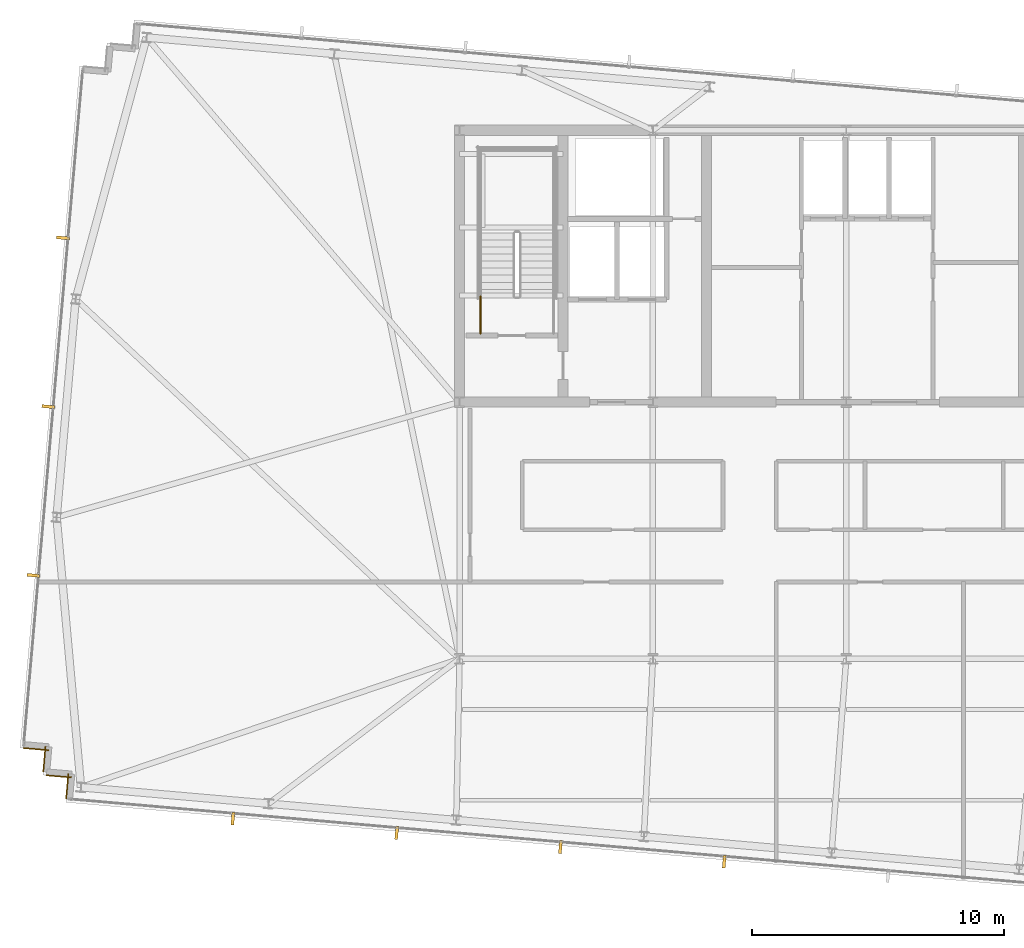
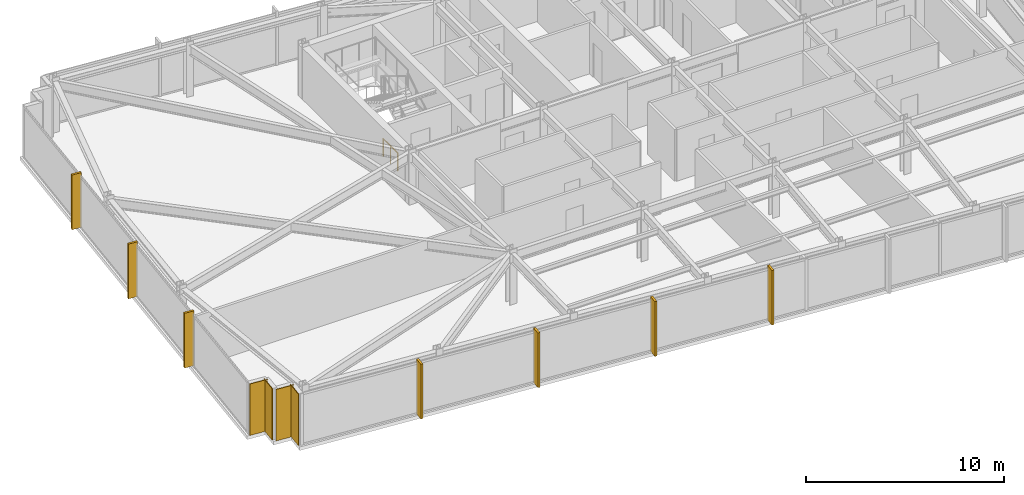
# One storey, part 29 of 32: 7 shading devices, 4 coverings, 1 railing.
"""IFC4 building model written with IfcOpenShell, lengths in metres."""

from ifc_helpers import new_model, si_unit, direction, frame, frame_2d, origin, origin_2d, place, context, subcontext, project, spatial, rectangle, circle, extrude, material, layer, layer_set, type_object, element, save


model = new_model("IFC4")

# Units and contexts
model_context = context("Model", 3, precision=1e-05, world=origin(), true_north=direction((0.0, 1.0)))
body_context = subcontext(model_context, "Body", "Model", "MODEL_VIEW")
ifc_project = project(units=[si_unit("LENGTHUNIT", "METRE"), si_unit("AREAUNIT", "SQUARE_METRE"), si_unit("VOLUMEUNIT", "CUBIC_METRE"), si_unit("PLANEANGLEUNIT", "RADIAN"), si_unit("MASSUNIT", "GRAM", prefix="KILO")], contexts=[model_context])

# Site, building, storey
site_placement = place(None, origin())
site = spatial("IfcSite", under=ifc_project, at=site_placement, CompositionType="ELEMENT")
building_placement = place(site_placement, origin())
building = spatial("IfcBuilding", under=site, at=building_placement, Name="Yelkora Congress Tower", CompositionType="ELEMENT")
storey_placement = place(building_placement, frame((0.0, 0.0, 272.699951171875)))
storey = spatial("IfcBuildingStorey", under=building, at=storey_placement, Name="L76", CompositionType="ELEMENT", Elevation=272.699951171875)

# Coverings
ifc_material_1 = material(Name="Anatolian bush-hammered limestone", Category="masonry")
ifc_layer_1 = layer(ifc_material_1, 0.0400390625)
ifc_layer_set_1 = layer_set([ifc_layer_1], Name="Anatolian bush-hammered limestone")
covering_type = type_object("IfcCoveringType", Name="COV-CLAD-SPANDREL-40", PredefinedType="CLADDING", material=ifc_layer_set_1)
for number, where, z_axis, x_axis, name in (
    (1, (7.41064453125, 19.63720703125, 0.0), (0.0, 0.0, 1.0), (0.087166950281, 0.996193717496, 0.0), "L76 Anatolian Limestone Cladding EW-L76-SR01"),
    (2, (7.62060546875, 20.4873046875, 0.0), (0.0, 0.0, 1.0), (-0.996214890596, 0.086924632611, 0.0), "L76 Anatolian Limestone Cladding EW-L76-SR02"),
):
    element("IfcCovering", number, at=place(storey_placement, frame(where, z_axis=z_axis, x_axis=x_axis)), inside=storey, type_object=covering_type, Name=name, PredefinedType="CLADDING", context=body_context, shape_type="SweptSolid", body=[
        extrude(rectangle(XDim=1.0, YDim=0.0400390625, at=frame_2d((0.5, 0.0))), origin(), (0.0, 0.0, 1.0), 3.179931640625),
    ])
covering_1_placement = place(storey_placement, frame((6.501708984375, 20.720458984375, 0.0), z_axis=(0.0, 0.0, 1.0), x_axis=(0.087145753297, 0.996195572005, 0.0)))
element("IfcCovering", 3, at=covering_1_placement, inside=storey, type_object=covering_type, Name="L76 Anatolian Limestone Cladding EW-L76-SR03", PredefinedType="CLADDING", context=body_context, shape_type="SweptSolid", body=[
    extrude(rectangle(XDim=1.000244140625, YDim=0.0400390625, at=frame_2d((0.5, 0.0))), origin(), (0.0, 0.0, 1.0), 3.179931640625),
])
covering_2_placement = place(storey_placement, frame((6.71142578125, 21.570556640625, 0.0), z_axis=(0.0, 0.0, 1.0), x_axis=(-0.996193717496, 0.087166950281, 0.0)))
element("IfcCovering", 4, at=covering_2_placement, inside=storey, type_object=covering_type, Name="L76 Anatolian Limestone Cladding EW-L76-SR04", PredefinedType="CLADDING", context=body_context, shape_type="SweptSolid", body=[
    extrude(rectangle(XDim=1.0, YDim=0.0400390625, at=frame_2d((0.5, 0.0))), origin(), (0.0, 0.0, 1.0), 3.179931640625),
])

# Railing
ifc_material_2 = material(Name="Painted galvanised steel stair well guard with vertical infill", Category="steel")
ifc_layer_2 = layer(ifc_material_2, 0.06005859375)
ifc_layer_set_2 = layer_set([ifc_layer_2], Name="Painted galvanised steel stair well guard with vertical infill")
railing_type = type_object("IfcRailingType", Name="RAIL-STAIR-GUARD-1120", PredefinedType="GUARDRAIL", material=ifc_layer_set_2)
railing_placement = place(storey_placement, frame((23.8701171875, 38.1201171875, 0.0)))
element("IfcRailing", 5, at=railing_placement, inside=storey, type_object=railing_type, Name="ST-01 L76 Stair Well Guardrail 9", PredefinedType="GUARDRAIL", context=body_context, shape_type="SweptSolid", body=[
    extrude(circle(Radius=0.02392578125, at=origin_2d()), frame((0.0, 0.0, 1.09619140625), z_axis=(0.0, 1.0, 0.0), x_axis=(-1.0, 0.0, 0.0)), (0.0, 0.0, 1.0), 1.47998046875),
    extrude(circle(Radius=0.02099609375, at=origin_2d()), origin(), (0.0, 0.0, 1.0), 1.072021484375),
    extrude(circle(Radius=0.02099609375, at=origin_2d()), frame((0.0, 0.739990234375, 0.0)), (0.0, 0.0, 1.0), 1.072021484375),
    extrude(circle(Radius=0.02099609375, at=origin_2d()), frame((0.0, 1.47998046875, 0.0)), (0.0, 0.0, 1.0), 1.072021484375),
])

# Shading devices
ifc_material_3 = material(Name="Champagne anodised aluminium", Category="aluminium")
ifc_layer_3 = layer(ifc_material_3, 3.300048828125)
ifc_layer_set_3 = layer_set([ifc_layer_3], Name="Champagne anodised aluminium")
shading_device_type = type_object("IfcShadingDeviceType", Name="SHD-FIN-ALU-520", PredefinedType="USERDEFINED", material=ifc_layer_set_3)
for number, where, z_axis, x_axis, name in (
    (6, (6.114501953125, 28.513916015625, -0.02978515625), (0.0, 0.0, 1.0), (0.087155742748, 0.996194698092, 0.0), "L76 Vertical Anodised Solar Fin 5-1"),
    (7, (6.700927734375, 35.218505859375, -0.02978515625), (0.0, 0.0, 1.0), (0.087155742748, 0.996194698092, 0.0), "L76 Vertical Anodised Solar Fin 5-2"),
    (8, (7.28759765625, 41.9228515625, -0.02978515625), (0.0, 0.0, 1.0), (0.087155742748, 0.996194698092, 0.0), "L76 Vertical Anodised Solar Fin 5-3"),
    (9, (33.553955078125, 17.149169921875, -0.02978515625), (0.0, 0.0, 1.0), (-0.996194698092, 0.087155742748, 0.0), "L76 Vertical Anodised Solar Fin 20-3"),
    (10, (27.04736328125, 17.718505859375, -0.02978515625), (0.0, 0.0, 1.0), (-0.996194698092, 0.087155742748, 0.0), "L76 Vertical Anodised Solar Fin 20-4"),
    (11, (20.541015625, 18.28759765625, -0.02978515625), (0.0, 0.0, 1.0), (-0.996194698092, 0.087155742748, 0.0), "L76 Vertical Anodised Solar Fin 20-5"),
    (12, (14.0341796875, 18.85693359375, -0.02978515625), (0.0, 0.0, 1.0), (-0.996194698092, 0.087155742748, 0.0), "L76 Vertical Anodised Solar Fin 20-6"),
):
    element("IfcShadingDevice", number, at=place(storey_placement, frame(where, z_axis=z_axis, x_axis=x_axis)), inside=storey, type_object=shading_device_type, Name=name, ObjectType="FIN", PredefinedType="USERDEFINED", context=body_context, shape_type="SweptSolid", body=[
        extrude(rectangle(XDim=0.1201171875, YDim=0.52001953125, at=origin_2d()), origin(), (0.0, 0.0, 1.0), 3.3798828125),
    ])

save(model, "model.ifc")
